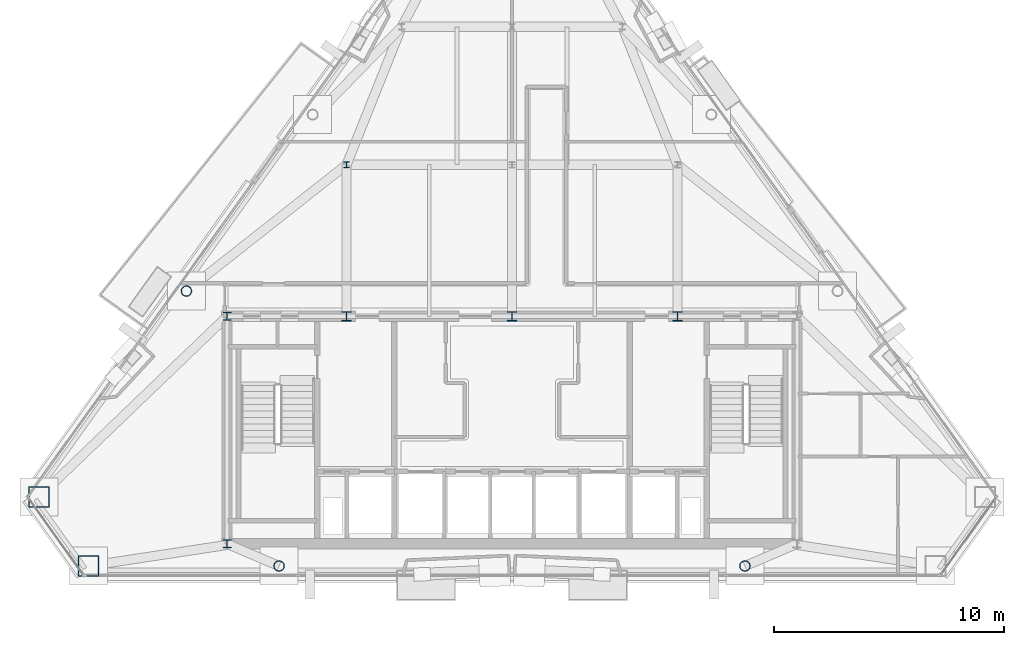
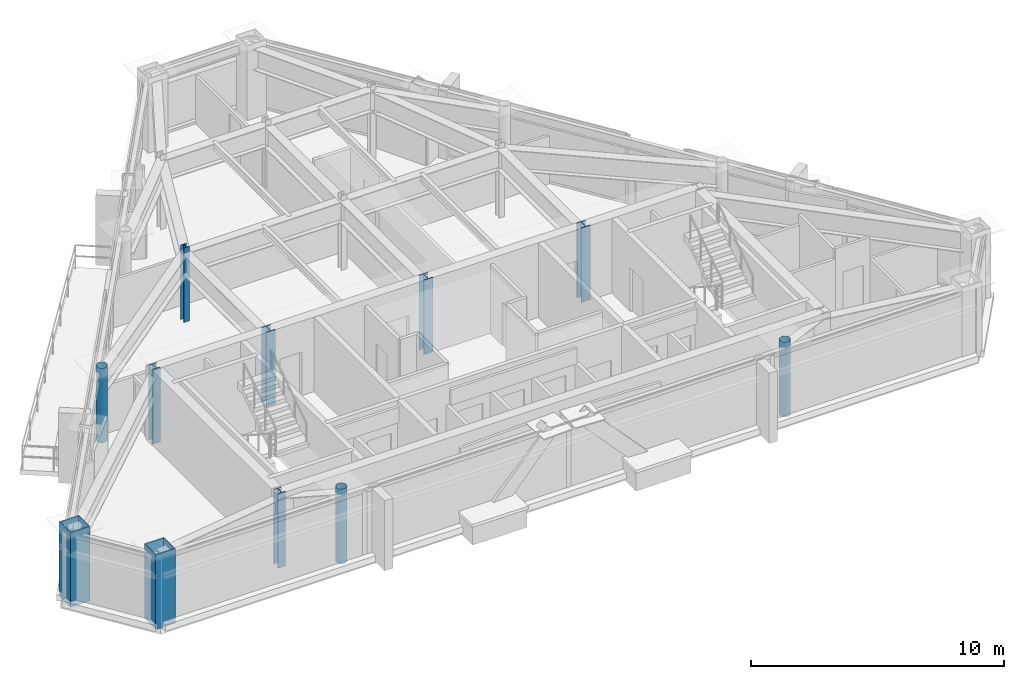
# One storey, part 1 of 12: 11 columns.
"""IFC4 building model written with IfcOpenShell, lengths in metres."""

from ifc_helpers import new_model, si_unit, direction, frame, origin, origin_2d, place, context, subcontext, project, spatial, hollow_rectangle, hollow_circle, i_section, extrude, material, material_profile, profile_set, type_object, element, save


model = new_model("IFC4")

# Units and contexts
model_context = context("Model", 3, precision=1e-05, world=origin(), true_north=direction((0.0, 1.0)))
body_context = subcontext(model_context, "Body", "Model", "MODEL_VIEW")
ifc_project = project(units=[si_unit("LENGTHUNIT", "METRE"), si_unit("AREAUNIT", "SQUARE_METRE"), si_unit("VOLUMEUNIT", "CUBIC_METRE"), si_unit("PLANEANGLEUNIT", "RADIAN"), si_unit("MASSUNIT", "GRAM", prefix="KILO")], contexts=[model_context])

# Site, building, storey
site_placement = place(None, origin())
site = spatial("IfcSite", under=ifc_project, at=site_placement, CompositionType="ELEMENT")
building_placement = place(site_placement, origin())
building = spatial("IfcBuilding", under=site, at=building_placement, Name="Talgorran Terracotta Tower", CompositionType="ELEMENT")
storey_placement = place(building_placement, frame((0.0, 0.0, 259.800048828125)))
storey = spatial("IfcBuildingStorey", under=building, at=storey_placement, Name="L68", CompositionType="ELEMENT", Elevation=259.800048828125)

# Columns
ifc_material_1 = material(Name="Steel S355 (300PLUS)", Category="steel")
ifc_material_profile_1 = material_profile(ifc_material_1, i_section(OverallWidth=0.256103515625, OverallDepth=0.260009765625, WebThickness=0.010498046875, FlangeThickness=0.017333984375, at=origin_2d()), Name="250UC89.5")
ifc_profile_set_1 = profile_set([ifc_material_profile_1], Name="Steel S355 (300PLUS)")
column_type_1 = type_object("IfcColumnType", Name="COL_250UC89", PredefinedType="COLUMN", material=ifc_profile_set_1)
column_placement = place(storey_placement, frame((-7.199951171875, 2.39990234375, 0.0), z_axis=(0.0, 0.0, 1.0), x_axis=(1.0, 0.0, 0.0)))
element("IfcColumn", 1, at=column_placement, inside=storey, type_object=column_type_1, Name="L68 Interior Gravity Column IC1", PredefinedType="COLUMN", context=body_context, shape_type="SweptSolid", body=[
    extrude(i_section(OverallWidth=0.256103515625, OverallDepth=0.260009765625, WebThickness=0.010498046875, FlangeThickness=0.017333984375, at=origin_2d()), origin(), (0.0, 0.0, 1.0), 3.599853515625),
])
ifc_material_profile_2 = material_profile(ifc_material_1, i_section(OverallWidth=0.35205078125, OverallDepth=0.35888671875, WebThickness=0.01806640625, FlangeThickness=0.02587890625, at=origin_2d()), Name="350WC197")
ifc_profile_set_2 = profile_set([ifc_material_profile_2], Name="Steel S355 (300PLUS)")
column_type_2 = type_object("IfcColumnType", Name="COL_350WC197", PredefinedType="COLUMN", material=ifc_profile_set_2)
for number, where, z_axis, x_axis, name in (
    (2, (-12.39990234375, -14.10009765625, 0.0), (0.0, 0.0, 1.0), (1.0, 0.0, 0.0), "L68 Core Boundary Column CC1"),
    (3, (-12.39990234375, -4.199951171875, 0.0), (0.0, 0.0, 1.0), (1.0, 0.0, 0.0), "L68 Core Boundary Column CC4"),
):
    element("IfcColumn", number, at=place(storey_placement, frame(where, z_axis=z_axis, x_axis=x_axis)), inside=storey, type_object=column_type_2, Name=name, PredefinedType="COLUMN", context=body_context, shape_type="SweptSolid", body=[
        extrude(i_section(OverallWidth=0.35205078125, OverallDepth=0.35888671875, WebThickness=0.01806640625, FlangeThickness=0.02587890625, at=origin_2d()), origin(), (0.0, 0.0, 1.0), 3.599853515625),
    ])
ifc_material_2 = material(Name="Steel Grade 350 (350L0)", Category="steel")
ifc_material_profile_3 = material_profile(ifc_material_2, hollow_rectangle(XDim=0.89990234375, YDim=0.89990234375, WallThickness=0.0400390625, at=origin_2d()), Name="CFT900X900X40")
ifc_profile_set_3 = profile_set([ifc_material_profile_3], Name="Steel Grade 350 (350L0)")
column_type_3 = type_object("IfcColumnType", Name="COL_CFT_900", PredefinedType="COLUMN", material=ifc_profile_set_3)
for number, where, z_axis, x_axis, name in (
    (4, (-20.585205078125, -12.056640625, 0.0), (0.0, 0.0, 1.0), (1.0, 0.0, 0.0), "L68 Corner CFT Mega-Column MC1"),
    (5, (-18.43212890625, -15.063232421875, 0.0), (0.0, 0.0, 1.0), (1.0, 0.0, 0.0), "L68 Corner CFT Mega-Column MC2"),
):
    element("IfcColumn", number, at=place(storey_placement, frame(where, z_axis=z_axis, x_axis=x_axis)), inside=storey, type_object=column_type_3, Name=name, PredefinedType="COLUMN", context=body_context, shape_type="SweptSolid", body=[
        extrude(hollow_rectangle(XDim=0.89990234375, YDim=0.89990234375, WallThickness=0.0400390625, at=origin_2d()), origin(), (0.0, 0.0, 1.0), 3.599853515625),
    ])
ifc_material_3 = material(Name="Steel S350 (C350L0)", Category="steel")
ifc_material_profile_4 = material_profile(ifc_material_3, hollow_circle(Radius=0.228515625, WallThickness=0.01611328125, at=origin_2d()), Name="CHS457X16")
ifc_profile_set_4 = profile_set([ifc_material_profile_4], Name="Steel S350 (C350L0)")
column_type_4 = type_object("IfcColumnType", Name="COL_CHS_457", PredefinedType="COLUMN", material=ifc_profile_set_4)
for number, where, z_axis, x_axis, name in (
    (6, (-10.1376953125, -15.063232421875, 0.0), (0.0, 0.0, 1.0), (1.0, 0.0, 0.0), "L68 Facet Perimeter Column FC1"),
    (7, (10.1376953125, -15.063232421875, 0.0), (0.0, 0.0, 1.0), (1.0, 0.0, 0.0), "L68 Facet Perimeter Column FC2"),
    (8, (-14.170654296875, -3.09912109375, 0.0), (0.0, 0.0, 1.0), (1.0, 0.0, 0.0), "L68 Facet Perimeter Column FC6"),
):
    element("IfcColumn", number, at=place(storey_placement, frame(where, z_axis=z_axis, x_axis=x_axis)), inside=storey, type_object=column_type_4, Name=name, PredefinedType="COLUMN", context=body_context, shape_type="SweptSolid", body=[
        extrude(hollow_circle(Radius=0.228515625, WallThickness=0.01611328125, at=origin_2d()), origin(), (0.0, 0.0, 1.0), 3.599853515625),
    ])
ifc_material_profile_5 = material_profile(ifc_material_1, i_section(OverallWidth=0.405029296875, OverallDepth=0.4140625, WebThickness=0.02197265625, FlangeThickness=0.031982421875, at=origin_2d()), Name="400WC270")
ifc_profile_set_5 = profile_set([ifc_material_profile_5], Name="Steel S355 (300PLUS)")
column_type_5 = type_object("IfcColumnType", Name="COL_PIL_400WC270", PredefinedType="PILASTER", material=ifc_profile_set_5)
for number, where, z_axis, x_axis, name in (
    (9, (-7.199951171875, -4.199951171875, 0.0), (0.0, 0.0, 1.0), (1.0, 0.0, 0.0), "L68 Core Shear Pilaster CP1"),
    (10, (0.0, -4.199951171875, 0.0), (0.0, 0.0, 1.0), (1.0, 0.0, 0.0), "L68 Core Shear Pilaster CP2"),
    (11, (7.199951171875, -4.199951171875, 0.0), (0.0, 0.0, 1.0), (1.0, 0.0, 0.0), "L68 Core Shear Pilaster CP3"),
):
    element("IfcColumn", number, at=place(storey_placement, frame(where, z_axis=z_axis, x_axis=x_axis)), inside=storey, type_object=column_type_5, Name=name, PredefinedType="PILASTER", context=body_context, shape_type="SweptSolid", body=[
        extrude(i_section(OverallWidth=0.405029296875, OverallDepth=0.4140625, WebThickness=0.02197265625, FlangeThickness=0.031982421875, at=origin_2d()), origin(), (0.0, 0.0, 1.0), 3.599853515625),
    ])

save(model, "model.ifc")
